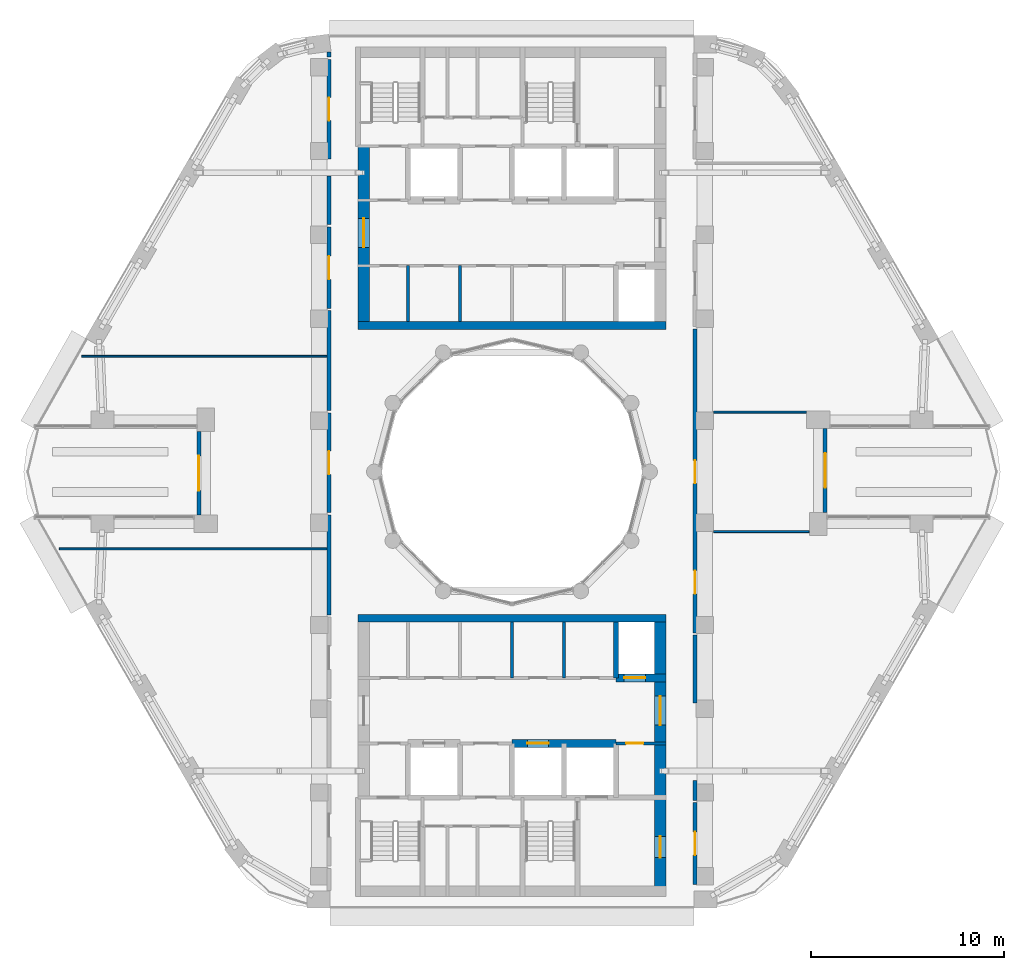
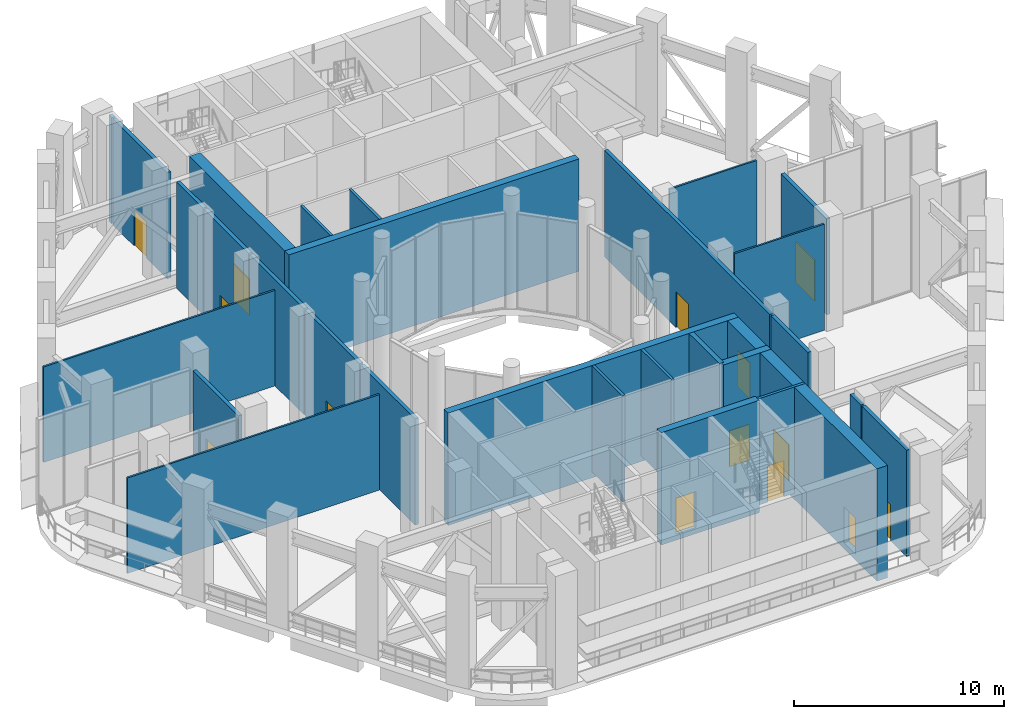
# One storey, part 9 of 19: 29 walls, 14 doors, 14 openings.
"""IFC4 building model written with IfcOpenShell, lengths in metres."""

from ifc_helpers import new_model, si_unit, direction, frame, frame_2d, origin, place, context, subcontext, project, spatial, rectangle, extrude, material, layer, layer_set, type_object, element, fill, save


model = new_model("IFC4")

# Units and contexts
model_context = context("Model", 3, precision=1e-05, world=origin(), true_north=direction((0.0, 1.0)))
body_context = subcontext(model_context, "Body", "Model", "MODEL_VIEW")
ifc_project = project(units=[si_unit("LENGTHUNIT", "METRE"), si_unit("AREAUNIT", "SQUARE_METRE"), si_unit("VOLUMEUNIT", "CUBIC_METRE"), si_unit("PLANEANGLEUNIT", "RADIAN"), si_unit("MASSUNIT", "GRAM", prefix="KILO")], contexts=[model_context])

# Site, building, storey
site_placement = place(None, origin())
site = spatial("IfcSite", under=ifc_project, at=site_placement, CompositionType="ELEMENT")
building_placement = place(site_placement, origin())
building = spatial("IfcBuilding", under=site, at=building_placement, Name="Nakaniwa Court", CompositionType="ELEMENT")
storey_placement = place(building_placement, frame((0.0, 0.0, 219.60009765625)))
storey = spatial("IfcBuildingStorey", under=building, at=storey_placement, Name="S4", CompositionType="ELEMENT", Elevation=219.60009765625)

# Wall, opening, door
ifc_material_1 = material(Name="Acoustic double stud partition")
ifc_layer_1 = layer(ifc_material_1, 0.199951171875)
ifc_layer_set_1 = layer_set([ifc_layer_1], Name="Acoustic double stud partition")
wall_type_1 = type_object("IfcWallType", Name="Acoustic double stud partition 200", PredefinedType="PARTITIONING", material=ifc_layer_set_1)
wall_1_placement = place(storey_placement, frame((89.5, 62.822998046875, 0.0), z_axis=(0.0, 0.0, 1.0), x_axis=(0.0, -1.0, 0.0)))
wall_1 = element("IfcWall", 1, at=wall_1_placement, inside=storey, type_object=wall_type_1, Name="Partition PW-065", PredefinedType="PARTITIONING", context=body_context, shape_type="SweptSolid", body=[
    extrude(rectangle(XDim=4.236083984375, YDim=0.199951171875, at=frame_2d((2.1181640625, 0.0))), origin(), (0.0, 0.0, 1.0), 6.18994140625),
])
opening_1_placement = place(wall_1_placement, frame((1.51806640625, 0.0, 0.0)))
opening_1 = element("IfcOpeningElement", 2, at=opening_1_placement, cuts=wall_1, Name="Opening D-35-01", PredefinedType="OPENING", context=body_context, shape_type="SweptSolid", body=[
    extrude(rectangle(XDim=1.199951171875, YDim=2.10009765625, at=frame_2d((0.60009765625, 1.050048828125))), frame((0.0, 0.10986328125, 0.0), z_axis=(0.0, -1.0, 0.0), x_axis=(1.0, 0.0, 0.0)), (0.0, 0.0, 1.0), 0.219970703125),
])
ifc_material_2 = material(Name="Fire rated steel door set", Category="steel")
door_type_1 = type_object("IfcDoorType", Name="Service room door 1200", OperationType="NOTDEFINED", PredefinedType="DOOR", material=ifc_material_2)
door_1_placement = place(opening_1_placement, origin())
door_1 = element("IfcDoor", 3, at=door_1_placement, inside=storey, type_object=door_type_1, Name="Door D-35-01 S4-029", OperationType="SINGLE_SWING_RIGHT", OverallHeight=2.10009765625, OverallWidth=1.199951171875, PredefinedType="DOOR", context=body_context, shape_type="SweptSolid", body=[
    extrude(rectangle(XDim=1.199951171875, YDim=2.10009765625, at=frame_2d((0.60009765625, 1.050048828125))), frame((0.0, 0.02490234375, 0.0), z_axis=(0.0, -1.0, 0.0), x_axis=(1.0, 0.0, 0.0)), (0.0, 0.0, 1.0), 0.050048828125),
])
fill(opening_1, door_1)

# Walls
wall_2_placement = place(storey_placement, frame((89.5, 62.93701171875, 0.0), z_axis=(0.0, 0.0, 1.0), x_axis=(0.0, 1.0, 0.0)))
element("IfcWall", 4, at=wall_2_placement, inside=storey, type_object=wall_type_1, Name="Partition PW-066", PredefinedType="PARTITIONING", context=body_context, shape_type="SweptSolid", body=[
    extrude(rectangle(XDim=1.04150390625, YDim=0.199951171875, at=frame_2d((0.520751953125, 0.0))), origin(), (0.0, 0.0, 1.0), 6.18994140625),
])
wall_3_placement = place(storey_placement, frame((89.5, 67.9970703125, 0.0), z_axis=(0.0, 0.0, 1.0), x_axis=(0.0, 1.0, 0.0)))
element("IfcWall", 5, at=wall_3_placement, inside=storey, type_object=wall_type_1, Name="Partition PW-067", PredefinedType="PARTITIONING", context=body_context, shape_type="SweptSolid", body=[
    extrude(rectangle(XDim=3.52587890625, YDim=0.199951171875, at=frame_2d((1.762939453125, 0.0))), origin(), (0.0, 0.0, 1.0), 6.18994140625),
])

# Wall, openings, doors
wall_4_placement = place(storey_placement, frame((89.5, 87.423095703125, 0.0), z_axis=(0.0, 0.0, 1.0), x_axis=(0.0, -1.0, 0.0)))
wall_4 = element("IfcWall", 6, at=wall_4_placement, inside=storey, type_object=wall_type_1, Name="Partition PW-068", PredefinedType="PARTITIONING", context=body_context, shape_type="SweptSolid", body=[
    extrude(rectangle(XDim=15.7861328125, YDim=0.199951171875, at=frame_2d((7.89306640625, 0.0))), origin(), (0.0, 0.0, 1.0), 6.18994140625),
])
opening_2_placement = place(wall_4_placement, frame((12.552978515625, 0.0, 0.0)))
opening_2 = element("IfcOpeningElement", 7, at=opening_2_placement, cuts=wall_4, Name="Opening D-30-01", PredefinedType="OPENING", context=body_context, shape_type="SweptSolid", body=[
    extrude(rectangle(XDim=1.199951171875, YDim=2.10009765625, at=frame_2d((0.60009765625, 1.050048828125))), frame((0.0, 0.10986328125, 0.0), z_axis=(0.0, -1.0, 0.0), x_axis=(1.0, 0.0, 0.0)), (0.0, 0.0, 1.0), 0.219970703125),
])
opening_3_placement = place(wall_4_placement, frame((6.822998046875, 0.0, 0.0)))
opening_3 = element("IfcOpeningElement", 8, at=opening_3_placement, cuts=wall_4, Name="Opening D-30-02", PredefinedType="OPENING", context=body_context, shape_type="SweptSolid", body=[
    extrude(rectangle(XDim=1.199951171875, YDim=2.10009765625, at=frame_2d((0.60009765625, 1.050048828125))), frame((0.0, 0.10986328125, 0.0), z_axis=(0.0, -1.0, 0.0), x_axis=(1.0, 0.0, 0.0)), (0.0, 0.0, 1.0), 0.219970703125),
])
ifc_material_3 = material(Name="Solid core timber door set, black veneer", Category="wood")
door_type_2 = type_object("IfcDoorType", Name="Internal door 1200", OperationType="NOTDEFINED", PredefinedType="DOOR", material=ifc_material_3)
door_2_placement = place(opening_2_placement, origin())
door_2 = element("IfcDoor", 9, at=door_2_placement, inside=storey, type_object=door_type_2, Name="Door D-30-01 S4-030", OperationType="SINGLE_SWING_LEFT", OverallHeight=2.10009765625, OverallWidth=1.199951171875, PredefinedType="DOOR", context=body_context, shape_type="SweptSolid", body=[
    extrude(rectangle(XDim=1.199951171875, YDim=2.10009765625, at=frame_2d((0.60009765625, 1.050048828125))), frame((0.0, 0.02490234375, 0.0), z_axis=(0.0, -1.0, 0.0), x_axis=(1.0, 0.0, 0.0)), (0.0, 0.0, 1.0), 0.050048828125),
])
fill(opening_2, door_2)
door_3_placement = place(opening_3_placement, origin())
door_3 = element("IfcDoor", 10, at=door_3_placement, inside=storey, type_object=door_type_2, Name="Door D-30-02 S4-031", OperationType="SINGLE_SWING_RIGHT", OverallHeight=2.10009765625, OverallWidth=1.199951171875, PredefinedType="DOOR", context=body_context, shape_type="SweptSolid", body=[
    extrude(rectangle(XDim=1.199951171875, YDim=2.10009765625, at=frame_2d((0.60009765625, 1.050048828125))), frame((0.0, 0.02490234375, 0.0), z_axis=(0.0, -1.0, 0.0), x_axis=(1.0, 0.0, 0.0)), (0.0, 0.0, 1.0), 0.050048828125),
])
fill(opening_3, door_3)

# Wall
wall_5_placement = place(storey_placement, frame((70.5, 72.576904296875, 0.0), z_axis=(0.0, 0.0, 1.0), x_axis=(0.0, 1.0, 0.0)))
element("IfcWall", 11, at=wall_5_placement, inside=storey, type_object=wall_type_1, Name="Partition PW-078", PredefinedType="PARTITIONING", context=body_context, shape_type="SweptSolid", body=[
    extrude(rectangle(XDim=5.18603515625, YDim=0.199951171875, at=frame_2d((2.593017578125, 0.0))), origin(), (0.0, 0.0, 1.0), 6.18994140625),
])

# Wall, opening, door
wall_6_placement = place(storey_placement, frame((70.5, 77.876953125, 0.0), z_axis=(0.0, 0.0, 1.0), x_axis=(0.0, 1.0, 0.0)))
wall_6 = element("IfcWall", 12, at=wall_6_placement, inside=storey, type_object=wall_type_1, Name="Partition PW-079", PredefinedType="PARTITIONING", context=body_context, shape_type="SweptSolid", body=[
    extrude(rectangle(XDim=5.18603515625, YDim=0.199951171875, at=frame_2d((2.593017578125, 0.0))), origin(), (0.0, 0.0, 1.0), 6.18994140625),
])
opening_4_placement = place(wall_6_placement, frame((1.992919921875, 0.0, 0.0)))
opening_4 = element("IfcOpeningElement", 13, at=opening_4_placement, cuts=wall_6, Name="Opening D-30-05", PredefinedType="OPENING", context=body_context, shape_type="SweptSolid", body=[
    extrude(rectangle(XDim=1.199951171875, YDim=2.10009765625, at=frame_2d((0.60009765625, 1.050048828125))), frame((0.0, 0.10986328125, 0.0), z_axis=(0.0, -1.0, 0.0), x_axis=(1.0, 0.0, 0.0)), (0.0, 0.0, 1.0), 0.219970703125),
])
door_4_placement = place(opening_4_placement, origin())
door_4 = element("IfcDoor", 14, at=door_4_placement, inside=storey, type_object=door_type_2, Name="Door D-30-05 S4-036", OperationType="SINGLE_SWING_LEFT", OverallHeight=2.10009765625, OverallWidth=1.199951171875, PredefinedType="DOOR", context=body_context, shape_type="SweptSolid", body=[
    extrude(rectangle(XDim=1.199951171875, YDim=2.10009765625, at=frame_2d((0.60009765625, 1.050048828125))), frame((0.0, 0.02490234375, 0.0), z_axis=(0.0, -1.0, 0.0), x_axis=(1.0, 0.0, 0.0)), (0.0, 0.0, 1.0), 0.050048828125),
])
fill(opening_4, door_4)

# Wall
wall_7_placement = place(storey_placement, frame((70.5, 83.177001953125, 0.0), z_axis=(0.0, 0.0, 1.0), x_axis=(0.0, 1.0, 0.0)))
element("IfcWall", 15, at=wall_7_placement, inside=storey, type_object=wall_type_1, Name="Partition PW-080", PredefinedType="PARTITIONING", context=body_context, shape_type="SweptSolid", body=[
    extrude(rectangle(XDim=5.18603515625, YDim=0.199951171875, at=frame_2d((2.593017578125, 0.0))), origin(), (0.0, 0.0, 1.0), 6.18994140625),
])

# Wall, opening, door
wall_8_placement = place(storey_placement, frame((70.5, 88.47705078125, 0.0), z_axis=(0.0, 0.0, 1.0), x_axis=(0.0, 1.0, 0.0)))
wall_8 = element("IfcWall", 16, at=wall_8_placement, inside=storey, type_object=wall_type_1, Name="Partition PW-081", PredefinedType="PARTITIONING", context=body_context, shape_type="SweptSolid", body=[
    extrude(rectangle(XDim=4.23583984375, YDim=0.199951171875, at=frame_2d((2.117919921875, 0.0))), origin(), (0.0, 0.0, 1.0), 6.18994140625),
])
opening_5_placement = place(wall_8_placement, frame((1.51806640625, 0.0, 0.0)))
opening_5 = element("IfcOpeningElement", 17, at=opening_5_placement, cuts=wall_8, Name="Opening D-30-06", PredefinedType="OPENING", context=body_context, shape_type="SweptSolid", body=[
    extrude(rectangle(XDim=1.199951171875, YDim=2.10009765625, at=frame_2d((0.60009765625, 1.050048828125))), frame((0.0, 0.10986328125, 0.0), z_axis=(0.0, -1.0, 0.0), x_axis=(1.0, 0.0, 0.0)), (0.0, 0.0, 1.0), 0.219970703125),
])
door_5_placement = place(opening_5_placement, origin())
door_5 = element("IfcDoor", 18, at=door_5_placement, inside=storey, type_object=door_type_2, Name="Door D-30-06 S4-037", OperationType="SINGLE_SWING_RIGHT", OverallHeight=2.10009765625, OverallWidth=1.199951171875, PredefinedType="DOOR", context=body_context, shape_type="SweptSolid", body=[
    extrude(rectangle(XDim=1.199951171875, YDim=2.10009765625, at=frame_2d((0.60009765625, 1.050048828125))), frame((0.0, 0.02490234375, 0.0), z_axis=(0.0, -1.0, 0.0), x_axis=(1.0, 0.0, 0.0)), (0.0, 0.0, 1.0), 0.050048828125),
])
fill(opening_5, door_5)

# Wall
wall_9_placement = place(storey_placement, frame((70.5, 92.826904296875, 0.0), z_axis=(0.0, 0.0, 1.0), x_axis=(0.0, 1.0, 0.0)))
element("IfcWall", 19, at=wall_9_placement, inside=storey, type_object=wall_type_1, Name="Partition PW-082", PredefinedType="PARTITIONING", context=body_context, shape_type="SweptSolid", body=[
    extrude(rectangle(XDim=2.517578125, YDim=0.199951171875, at=frame_2d((1.2587890625, 0.0))), origin(), (0.0, 0.0, 1.0), 6.18994140625),
])

# Wall, opening, door
wall_10_placement = place(storey_placement, frame((70.5, 96.237060546875, 0.0), z_axis=(0.0, 0.0, 1.0), x_axis=(0.0, 1.0, 0.0)))
wall_10 = element("IfcWall", 20, at=wall_10_placement, inside=storey, type_object=wall_type_1, Name="Partition PW-083", PredefinedType="PARTITIONING", context=body_context, shape_type="SweptSolid", body=[
    extrude(rectangle(XDim=5.176025390625, YDim=0.199951171875, at=frame_2d((2.587890625, 0.0))), origin(), (0.0, 0.0, 1.0), 6.18994140625),
])
opening_6_placement = place(wall_10_placement, frame((1.988037109375, 0.0, 0.0)))
opening_6 = element("IfcOpeningElement", 21, at=opening_6_placement, cuts=wall_10, Name="Opening D-35-04", PredefinedType="OPENING", context=body_context, shape_type="SweptSolid", body=[
    extrude(rectangle(XDim=1.199951171875, YDim=2.10009765625, at=frame_2d((0.60009765625, 1.050048828125))), frame((0.0, 0.10986328125, 0.0), z_axis=(0.0, -1.0, 0.0), x_axis=(1.0, 0.0, 0.0)), (0.0, 0.0, 1.0), 0.219970703125),
])
door_6_placement = place(opening_6_placement, origin())
door_6 = element("IfcDoor", 22, at=door_6_placement, inside=storey, type_object=door_type_1, Name="Door D-35-04 S4-038", OperationType="SINGLE_SWING_LEFT", OverallHeight=2.10009765625, OverallWidth=1.199951171875, PredefinedType="DOOR", context=body_context, shape_type="SweptSolid", body=[
    extrude(rectangle(XDim=1.199951171875, YDim=2.10009765625, at=frame_2d((0.60009765625, 1.050048828125))), frame((0.0, 0.02490234375, 0.0), z_axis=(0.0, -1.0, 0.0), x_axis=(1.0, 0.0, 0.0)), (0.0, 0.0, 1.0), 0.050048828125),
])
fill(opening_6, door_6)

# Wall
wall_11_placement = place(storey_placement, frame((70.5, 101.527099609375, 0.0), z_axis=(0.0, 0.0, 1.0), x_axis=(0.0, 1.0, 0.0)))
element("IfcWall", 23, at=wall_11_placement, inside=storey, type_object=wall_type_1, Name="Partition PW-084", PredefinedType="PARTITIONING", context=body_context, shape_type="SweptSolid", body=[
    extrude(rectangle(XDim=0.273681640625, YDim=0.199951171875, at=frame_2d((0.13671875, 0.0))), origin(), (0.0, 0.0, 1.0), 6.18994140625),
])

# Wall, opening, door
ifc_material_4 = material(Name="Charcoal ceramic cladding")
ifc_layer_2 = layer(ifc_material_4, 0.02, Name="Ceramic cladding")
ifc_material_5 = material(Name="Ventilated air cavity")
ifc_layer_3 = layer(ifc_material_5, 0.04, ventilated=True, Name="Ventilated cavity")
ifc_material_6 = material(Name="Mineral wool insulation")
ifc_layer_4 = layer(ifc_material_6, 0.05, Name="Insulation")
ifc_material_7 = material(Name="Cement bonded sheathing board")
ifc_layer_5 = layer(ifc_material_7, 0.012, Name="Sheathing")
ifc_material_8 = material(Name="Cold-formed galvanised stud frame with mineral wool infill")
ifc_layer_6 = layer(ifc_material_8, 0.05, Name="Stud frame")
ifc_material_9 = material(Name="Fire-rated gypsum plasterboard lining")
ifc_layer_7 = layer(ifc_material_9, 0.028, Name="Lining")
ifc_layer_set_2 = layer_set([ifc_layer_2, ifc_layer_3, ifc_layer_4, ifc_layer_5, ifc_layer_6, ifc_layer_7], Name="Charcoal ceramic faced external wall system")
wall_type_2 = type_object("IfcWallType", Name="Black ceramic faced external wall 200", PredefinedType="SOLIDWALL", material=ifc_layer_set_2)
wall_12_placement = place(storey_placement, frame((63.75048828125, 82.10400390625, 0.0), z_axis=(0.0, 0.0, 1.0), x_axis=(0.0, -1.0, 0.0)))
wall_12 = element("IfcWall", 24, at=wall_12_placement, inside=storey, type_object=wall_type_2, Name="S4 sky garden terrace wall 1", PredefinedType="SOLIDWALL", context=body_context, shape_type="SweptSolid", body=[
    extrude(rectangle(XDim=4.35791015625, YDim=0.199951171875, at=frame_2d((2.178955078125, 0.0))), origin(), (0.0, 0.0, 1.0), 5.58984375),
])
opening_7_placement = place(wall_12_placement, frame((1.279052734375, 0.0, 0.0)))
opening_7 = element("IfcOpeningElement", 25, at=opening_7_placement, cuts=wall_12, Name="Opening XD11.01", PredefinedType="OPENING", context=body_context, shape_type="SweptSolid", body=[
    extrude(rectangle(XDim=1.800048828125, YDim=2.39990234375, at=frame_2d((0.89990234375, 1.199951171875))), frame((0.0, 0.10986328125, 0.0), z_axis=(0.0, -1.0, 0.0), x_axis=(1.0, 0.0, 0.0)), (0.0, 0.0, 1.0), 0.219970703125),
])
ifc_material_10 = material(Name="Black powder-coated aluminium frame with dark laminated glass", Category="aluminium")
door_type_3 = type_object("IfcDoorType", Name="Terrace double door 1800x2400", OperationType="DOUBLE_DOOR_SINGLE_SWING", PredefinedType="DOOR", material=ifc_material_10)
door_7_placement = place(opening_7_placement, frame((1.800048828125, 0.0, 0.0), z_axis=(0.0, 0.0, 1.0), x_axis=(-1.0, 0.0, 0.0)))
door_7 = element("IfcDoor", 26, at=door_7_placement, inside=storey, type_object=door_type_3, Name="S4 terrace double door t1", OperationType="DOUBLE_DOOR_SINGLE_SWING", OverallHeight=2.39990234375, OverallWidth=1.800048828125, PredefinedType="DOOR", context=body_context, shape_type="SweptSolid", body=[
    extrude(rectangle(XDim=1.800048828125, YDim=2.39990234375, at=frame_2d((0.89990234375, 1.199951171875))), frame((0.0, 0.02490234375, 0.0), z_axis=(0.0, -1.0, 0.0), x_axis=(1.0, 0.0, 0.0)), (0.0, 0.0, 1.0), 0.050048828125),
])
fill(opening_7, door_7)

wall_13_placement = place(storey_placement, frame((96.24951171875, 77.89599609375, 0.0), z_axis=(0.0, 0.0, 1.0), x_axis=(0.0, 1.0, 0.0)))
wall_13 = element("IfcWall", 27, at=wall_13_placement, inside=storey, type_object=wall_type_2, Name="S4 sky garden terrace wall 2", PredefinedType="SOLIDWALL", context=body_context, shape_type="SweptSolid", body=[
    extrude(rectangle(XDim=4.35791015625, YDim=0.199951171875, at=frame_2d((2.178955078125, 0.0))), origin(), (0.0, 0.0, 1.0), 5.58984375),
])
opening_8_placement = place(wall_13_placement, frame((1.279052734375, 0.0, 0.0)))
opening_8 = element("IfcOpeningElement", 28, at=opening_8_placement, cuts=wall_13, Name="Opening XD11.02", PredefinedType="OPENING", context=body_context, shape_type="SweptSolid", body=[
    extrude(rectangle(XDim=1.800048828125, YDim=2.39990234375, at=frame_2d((0.89990234375, 1.199951171875))), frame((0.0, 0.10986328125, 0.0), z_axis=(0.0, -1.0, 0.0), x_axis=(1.0, 0.0, 0.0)), (0.0, 0.0, 1.0), 0.219970703125),
])
door_8_placement = place(opening_8_placement, frame((1.800048828125, 0.0, 0.0), z_axis=(0.0, 0.0, 1.0), x_axis=(-1.0, 0.0, 0.0)))
door_8 = element("IfcDoor", 29, at=door_8_placement, inside=storey, type_object=door_type_3, Name="S4 terrace double door t2", OperationType="DOUBLE_DOOR_SINGLE_SWING", OverallHeight=2.39990234375, OverallWidth=1.800048828125, PredefinedType="DOOR", context=body_context, shape_type="SweptSolid", body=[
    extrude(rectangle(XDim=1.800048828125, YDim=2.39990234375, at=frame_2d((0.89990234375, 1.199951171875))), frame((0.0, 0.02490234375, 0.0), z_axis=(0.0, -1.0, 0.0), x_axis=(1.0, 0.0, 0.0)), (0.0, 0.0, 1.0), 0.050048828125),
])
fill(opening_8, door_8)

# Walls
ifc_material_11 = material(Name="Blockwork partition", Category="masonry")
ifc_layer_8 = layer(ifc_material_11, 0.14990234375)
ifc_layer_set_3 = layer_set([ifc_layer_8], Name="Blockwork partition")
wall_type_3 = type_object("IfcWallType", Name="Blockwork partition 150", PredefinedType="PARTITIONING", material=ifc_layer_set_3)
for number, where, z_axis, x_axis, name in (
    (30, (74.60009765625, 87.800048828125, 0.0), (0.0, 0.0, 1.0), (0.0, 1.0, 0.0), "Partition PW-001"),
    (31, (77.300048828125, 87.800048828125, 0.0), (0.0, 0.0, 1.0), (0.0, 1.0, 0.0), "Partition PW-008"),
    (32, (80.0, 69.300048828125, 0.0), (0.0, 0.0, 1.0), (0.0, 1.0, 0.0), "Partition PW-041"),
    (33, (82.699951171875, 69.300048828125, 0.0), (0.0, 0.0, 1.0), (0.0, 1.0, 0.0), "Partition PW-042"),
):
    element("IfcWall", number, at=place(storey_placement, frame(where, z_axis=z_axis, x_axis=x_axis)), inside=storey, type_object=wall_type_3, Name=name, PredefinedType="PARTITIONING", context=body_context, shape_type="SweptSolid", body=[
        extrude(rectangle(XDim=2.89990234375, YDim=0.14990234375, at=frame_2d((1.449951171875, 0.0))), origin(), (0.0, 0.0, 1.0), 6.18994140625),
    ])

# Wall, opening, door
wall_14_placement = place(storey_placement, frame((88.0, 65.89990234375, 0.0), z_axis=(0.0, 0.0, 1.0), x_axis=(-1.0, 0.0, 0.0)))
wall_14 = element("IfcWall", 34, at=wall_14_placement, inside=storey, type_object=wall_type_3, Name="Partition PW-045", PredefinedType="PARTITIONING", context=body_context, shape_type="SweptSolid", body=[
    extrude(rectangle(XDim=2.60302734375, YDim=0.14990234375, at=frame_2d((1.301513671875, 0.0))), origin(), (0.0, 0.0, 1.0), 6.18994140625),
])
opening_9_placement = place(wall_14_placement, frame((1.175048828125, 0.0, 0.0)))
opening_9 = element("IfcOpeningElement", 35, at=opening_9_placement, cuts=wall_14, Name="Opening D-05-15", PredefinedType="OPENING", context=body_context, shape_type="SweptSolid", body=[
    extrude(rectangle(XDim=0.89990234375, YDim=2.10009765625, at=frame_2d((0.449951171875, 1.050048828125))), frame((0.0, 0.0849609375, 0.0), z_axis=(0.0, -1.0, 0.0), x_axis=(1.0, 0.0, 0.0)), (0.0, 0.0, 1.0), 0.169921875),
])
door_type_4 = type_object("IfcDoorType", Name="Service room door 900", OperationType="NOTDEFINED", PredefinedType="DOOR", material=ifc_material_2)
door_9_placement = place(opening_9_placement, origin())
door_9 = element("IfcDoor", 36, at=door_9_placement, inside=storey, type_object=door_type_4, Name="Door D-05-15 S4-022", OperationType="SINGLE_SWING_LEFT", OverallHeight=2.10009765625, OverallWidth=0.89990234375, PredefinedType="DOOR", context=body_context, shape_type="SweptSolid", body=[
    extrude(rectangle(XDim=0.89990234375, YDim=2.10009765625, at=frame_2d((0.449951171875, 1.050048828125))), frame((0.0, 0.02490234375, 0.0), z_axis=(0.0, -1.0, 0.0), x_axis=(1.0, 0.0, 0.0)), (0.0, 0.0, 1.0), 0.050048828125),
])
fill(opening_9, door_9)

ifc_material_12 = material(Name="Concrete C80/100", Category="concrete")
ifc_layer_9 = layer(ifc_material_12, 0.60009765625)
ifc_layer_set_4 = layer_set([ifc_layer_9], Name="Concrete C80/100")
wall_type_4 = type_object("IfcWallType", Name="Concrete core side wall 600 C80", PredefinedType="SHEAR", material=ifc_layer_set_4)
wall_15_placement = place(storey_placement, frame((72.300048828125, 87.800048828125, -0.35009765625), z_axis=(0.0, 0.0, 1.0), x_axis=(0.0, 1.0, 0.0)))
wall_15 = element("IfcWall", 37, at=wall_15_placement, inside=storey, type_object=wall_type_4, Name="Core wall SW-03", PredefinedType="SHEAR", context=body_context, shape_type="SweptSolid", body=[
    extrude(rectangle(XDim=9.099853515625, YDim=0.60009765625, at=frame_2d((4.5498046875, 0.0))), origin(), (0.0, 0.0, 1.0), 6.5400390625),
])
opening_10_placement = place(wall_15_placement, frame((3.85009765625, 0.0, 0.35009765625)))
opening_10 = element("IfcOpeningElement", 38, at=opening_10_placement, cuts=wall_15, Name="Opening D-07-02", PredefinedType="OPENING", context=body_context, shape_type="SweptSolid", body=[
    extrude(rectangle(XDim=1.5, YDim=2.10009765625, at=frame_2d((0.75, 1.050048828125))), frame((0.0, 0.31005859375, 0.0), z_axis=(0.0, -1.0, 0.0), x_axis=(1.0, 0.0, 0.0)), (0.0, 0.0, 1.0), 0.6201171875),
])
ifc_material_13 = material(Name="Glazed fire rated steel double door set", Category="steel")
door_type_5 = type_object("IfcDoorType", Name="Lobby double door 1500", OperationType="NOTDEFINED", PredefinedType="DOOR", material=ifc_material_13)
door_10_placement = place(opening_10_placement, origin())
door_10 = element("IfcDoor", 39, at=door_10_placement, inside=storey, type_object=door_type_5, Name="Door D-07-02 S4-040", OperationType="DOUBLE_DOOR_SINGLE_SWING", OverallHeight=2.10009765625, OverallWidth=1.5, PredefinedType="DOOR", context=body_context, shape_type="SweptSolid", body=[
    extrude(rectangle(XDim=1.5, YDim=2.10009765625, at=frame_2d((0.75, 1.050048828125))), frame((0.0, 0.02490234375, 0.0), z_axis=(0.0, -1.0, 0.0), x_axis=(1.0, 0.0, 0.0)), (0.0, 0.0, 1.0), 0.050048828125),
])
fill(opening_10, door_10)

# Wall, openings, doors
wall_16_placement = place(storey_placement, frame((87.699951171875, 72.199951171875, -0.35009765625), z_axis=(0.0, 0.0, 1.0), x_axis=(0.0, -1.0, 0.0)))
wall_16 = element("IfcWall", 40, at=wall_16_placement, inside=storey, type_object=wall_type_4, Name="Core wall SW-39", PredefinedType="SHEAR", context=body_context, shape_type="SweptSolid", body=[
    extrude(rectangle(XDim=14.25, YDim=0.60009765625, at=frame_2d((7.125, 0.0))), origin(), (0.0, 0.0, 1.0), 6.5400390625),
])
opening_11_placement = place(wall_16_placement, frame((3.85009765625, 0.0, 0.35009765625)))
opening_11 = element("IfcOpeningElement", 41, at=opening_11_placement, cuts=wall_16, Name="Opening D-07-03", PredefinedType="OPENING", context=body_context, shape_type="SweptSolid", body=[
    extrude(rectangle(XDim=1.5, YDim=2.10009765625, at=frame_2d((0.75, 1.050048828125))), frame((0.0, 0.31005859375, 0.0), z_axis=(0.0, -1.0, 0.0), x_axis=(1.0, 0.0, 0.0)), (0.0, 0.0, 1.0), 0.6201171875),
])
opening_12_placement = place(wall_16_placement, frame((11.125, 0.0, 0.35009765625)))
opening_12 = element("IfcOpeningElement", 42, at=opening_12_placement, cuts=wall_16, Name="Opening D-10-02", PredefinedType="OPENING", context=body_context, shape_type="SweptSolid", body=[
    extrude(rectangle(XDim=1.10009765625, YDim=2.10009765625, at=frame_2d((0.550048828125, 1.050048828125))), frame((0.0, 0.31005859375, 0.0), z_axis=(0.0, -1.0, 0.0), x_axis=(1.0, 0.0, 0.0)), (0.0, 0.0, 1.0), 0.6201171875),
])
door_type_6 = type_object("IfcDoorType", Name="Firefighting lobby door 1100", OperationType="NOTDEFINED", PredefinedType="DOOR", material=ifc_material_2)
door_11_placement = place(opening_12_placement, origin())
door_11 = element("IfcDoor", 43, at=door_11_placement, inside=storey, type_object=door_type_6, Name="Door D-10-02 S4-044", OperationType="SINGLE_SWING_LEFT", OverallHeight=2.10009765625, OverallWidth=1.10009765625, PredefinedType="DOOR", context=body_context, shape_type="SweptSolid", body=[
    extrude(rectangle(XDim=1.10009765625, YDim=2.10009765625, at=frame_2d((0.550048828125, 1.050048828125))), frame((0.0, 0.02490234375, 0.0), z_axis=(0.0, -1.0, 0.0), x_axis=(1.0, 0.0, 0.0)), (0.0, 0.0, 1.0), 0.050048828125),
])
fill(opening_12, door_11)
door_12_placement = place(opening_11_placement, origin())
door_12 = element("IfcDoor", 44, at=door_12_placement, inside=storey, type_object=door_type_5, Name="Door D-07-03 S4-042", OperationType="DOUBLE_DOOR_SINGLE_SWING", OverallHeight=2.10009765625, OverallWidth=1.5, PredefinedType="DOOR", context=body_context, shape_type="SweptSolid", body=[
    extrude(rectangle(XDim=1.5, YDim=2.10009765625, at=frame_2d((0.75, 1.050048828125))), frame((0.0, 0.02490234375, 0.0), z_axis=(0.0, -1.0, 0.0), x_axis=(1.0, 0.0, 0.0)), (0.0, 0.0, 1.0), 0.050048828125),
])
fill(opening_11, door_12)

# Wall, opening, door
ifc_layer_10 = layer(ifc_material_12, 0.39990234375)
ifc_layer_set_5 = layer_set([ifc_layer_10], Name="Concrete C80/100")
wall_type_5 = type_object("IfcWallType", Name="Concrete core spine wall 400 C80", PredefinedType="SHEAR", material=ifc_layer_set_5)
wall_17_placement = place(storey_placement, frame((85.39990234375, 69.300048828125, -0.35009765625), z_axis=(0.0, 0.0, 1.0), x_axis=(1.0, 0.0, 0.0)))
wall_17 = element("IfcWall", 45, at=wall_17_placement, inside=storey, type_object=wall_type_5, Name="Core wall SW-38", PredefinedType="SHEAR", context=body_context, shape_type="SweptSolid", body=[
    extrude(rectangle(XDim=2.60009765625, YDim=0.39990234375, at=frame_2d((1.300048828125, 0.0))), origin(), (0.0, 0.0, 1.0), 6.5400390625),
])
opening_13_placement = place(wall_17_placement, frame((0.425048828125, 0.0, 0.35009765625)))
opening_13 = element("IfcOpeningElement", 46, at=opening_13_placement, cuts=wall_17, Name="Opening LD05", PredefinedType="OPENING", context=body_context, shape_type="SweptSolid", body=[
    extrude(rectangle(XDim=1.10009765625, YDim=2.10009765625, at=frame_2d((0.550048828125, 1.050048828125))), frame((0.0, 0.2099609375, 0.0), z_axis=(0.0, -1.0, 0.0), x_axis=(1.0, 0.0, 0.0)), (0.0, 0.0, 1.0), 0.419921875),
])
ifc_material_14 = material(Name="Stainless steel sliding lift landing door", Category="steel")
door_type_7 = type_object("IfcDoorType", Name="Lift landing door 1100", OperationType="NOTDEFINED", PredefinedType="DOOR", material=ifc_material_14)
door_13_placement = place(opening_13_placement, origin())
door_13 = element("IfcDoor", 47, at=door_13_placement, inside=storey, type_object=door_type_7, Name="Lift landing door LD05 S4-005", OperationType="SLIDING_TO_LEFT", OverallHeight=2.10009765625, OverallWidth=1.10009765625, PredefinedType="DOOR", context=body_context, shape_type="SweptSolid", body=[
    extrude(rectangle(XDim=1.10009765625, YDim=2.10009765625, at=frame_2d((0.550048828125, 1.050048828125))), frame((0.0, 0.02490234375, 0.0), z_axis=(0.0, -1.0, 0.0), x_axis=(1.0, 0.0, 0.0)), (0.0, 0.0, 1.0), 0.050048828125),
])
fill(opening_13, door_13)

wall_18_placement = place(storey_placement, frame((79.9970703125, 65.89990234375, -0.35009765625), z_axis=(0.0, 0.0, 1.0), x_axis=(1.0, 0.0, 0.0)))
wall_18 = element("IfcWall", 48, at=wall_18_placement, inside=storey, type_object=wall_type_5, Name="Core wall SW-47", PredefinedType="SHEAR", context=body_context, shape_type="SweptSolid", body=[
    extrude(rectangle(XDim=5.406005859375, YDim=0.39990234375, at=frame_2d((2.703125, 0.0))), origin(), (0.0, 0.0, 1.0), 6.5400390625),
])
opening_14_placement = place(wall_18_placement, frame((0.802978515625, 0.0, 0.35009765625)))
opening_14 = element("IfcOpeningElement", 49, at=opening_14_placement, cuts=wall_18, Name="Opening LD07", PredefinedType="OPENING", context=body_context, shape_type="SweptSolid", body=[
    extrude(rectangle(XDim=1.10009765625, YDim=2.10009765625, at=frame_2d((0.550048828125, 1.050048828125))), frame((0.0, 0.2099609375, 0.0), z_axis=(0.0, -1.0, 0.0), x_axis=(1.0, 0.0, 0.0)), (0.0, 0.0, 1.0), 0.419921875),
])
door_14_placement = place(opening_14_placement, origin())
door_14 = element("IfcDoor", 50, at=door_14_placement, inside=storey, type_object=door_type_7, Name="Lift landing door LD07 S4-007", OperationType="SLIDING_TO_LEFT", OverallHeight=2.10009765625, OverallWidth=1.10009765625, PredefinedType="DOOR", context=body_context, shape_type="SweptSolid", body=[
    extrude(rectangle(XDim=1.10009765625, YDim=2.10009765625, at=frame_2d((0.550048828125, 1.050048828125))), frame((0.0, 0.02490234375, 0.0), z_axis=(0.0, -1.0, 0.0), x_axis=(1.0, 0.0, 0.0)), (0.0, 0.0, 1.0), 0.050048828125),
])
fill(opening_14, door_14)

# Walls
ifc_layer_11 = layer(ifc_material_12, 0.39990234375)
ifc_layer_set_6 = layer_set([ifc_layer_11], Name="Concrete C80/100")
wall_type_6 = type_object("IfcWallType", Name="Concrete core well wall 400 C80", PredefinedType="SHEAR", material=ifc_layer_set_6)
for number, where, z_axis, x_axis, name in (
    (51, (72.00390625, 87.60009765625, -0.35009765625), (0.0, 0.0, 1.0), (1.0, 0.0, 0.0), "Core wall SW-88"),
    (52, (72.00390625, 72.39990234375, -0.35009765625), (0.0, 0.0, 1.0), (1.0, 0.0, 0.0), "Core wall SW-90"),
):
    element("IfcWall", number, at=place(storey_placement, frame(where, z_axis=z_axis, x_axis=x_axis)), inside=storey, type_object=wall_type_6, Name=name, PredefinedType="SHEAR", context=body_context, shape_type="SweptSolid", body=[
        extrude(rectangle(XDim=15.9921875, YDim=0.39990234375, at=frame_2d((7.99609375, 0.0))), origin(), (0.0, 0.0, 1.0), 6.5400390625),
    ])
ifc_layer_12 = layer(ifc_material_12, 0.25)
ifc_layer_set_7 = layer_set([ifc_layer_12], Name="Concrete C80/100")
wall_type_7 = type_object("IfcWallType", Name="Concrete shaft wall 250 C80", PredefinedType="SHEAR", material=ifc_layer_set_7)
wall_19_placement = place(storey_placement, frame((85.39990234375, 69.300048828125, -0.35009765625), z_axis=(0.0, 0.0, 1.0), x_axis=(0.0, 1.0, 0.0)))
element("IfcWall", 53, at=wall_19_placement, inside=storey, type_object=wall_type_7, Name="Core wall SW-37", PredefinedType="SHEAR", context=body_context, shape_type="SweptSolid", body=[
    extrude(rectangle(XDim=2.89990234375, YDim=0.25, at=frame_2d((1.449951171875, 0.0))), origin(), (0.0, 0.0, 1.0), 6.5400390625),
])
ifc_material_15 = material(Name="Single stud plasterboard partition")
ifc_layer_13 = layer(ifc_material_15, 0.10009765625)
ifc_layer_set_8 = layer_set([ifc_layer_13], Name="Single stud plasterboard partition")
wall_type_8 = type_object("IfcWallType", Name="Single stud plasterboard partition 100", PredefinedType="PARTITIONING", material=ifc_layer_set_8)
wall_20_placement = place(storey_placement, frame((90.469970703125, 76.89990234375, 0.0), z_axis=(0.0, 0.0, 1.0), x_axis=(1.0, 0.0, 0.0)))
element("IfcWall", 54, at=wall_20_placement, inside=storey, type_object=wall_type_8, Name="Partition PW-072", PredefinedType="PARTITIONING", context=body_context, shape_type="SweptSolid", body=[
    extrude(rectangle(XDim=4.95947265625, YDim=0.10009765625, at=frame_2d((2.479736328125, 0.0))), origin(), (0.0, 0.0, 1.0), 6.18994140625),
])
wall_21_placement = place(storey_placement, frame((90.469970703125, 83.10009765625, 0.0), z_axis=(0.0, 0.0, 1.0), x_axis=(1.0, 0.0, 0.0)))
element("IfcWall", 55, at=wall_21_placement, inside=storey, type_object=wall_type_8, Name="Partition PW-073", PredefinedType="PARTITIONING", context=body_context, shape_type="SweptSolid", body=[
    extrude(rectangle(XDim=4.8095703125, YDim=0.10009765625, at=frame_2d((2.40478515625, 0.0))), origin(), (0.0, 0.0, 1.0), 6.18994140625),
])
wall_22_placement = place(storey_placement, frame((56.501708984375, 76.0, 0.0), z_axis=(0.0, 0.0, 1.0), x_axis=(1.0, 0.0, 0.0)))
element("IfcWall", 56, at=wall_22_placement, inside=storey, type_object=wall_type_8, Name="Partition PW-085", PredefinedType="PARTITIONING", context=body_context, shape_type="SweptSolid", body=[
    extrude(rectangle(XDim=13.998291015625, YDim=0.10009765625, at=frame_2d((6.9990234375, 0.0))), origin(), (0.0, 0.0, 1.0), 5.56982421875),
])
wall_23_placement = place(storey_placement, frame((57.656494140625, 86.0, 0.0), z_axis=(0.0, 0.0, 1.0), x_axis=(1.0, 0.0, 0.0)))
element("IfcWall", 57, at=wall_23_placement, inside=storey, type_object=wall_type_8, Name="Partition PW-086", PredefinedType="PARTITIONING", context=body_context, shape_type="SweptSolid", body=[
    extrude(rectangle(XDim=12.843505859375, YDim=0.10009765625, at=frame_2d((6.421875, 0.0))), origin(), (0.0, 0.0, 1.0), 5.56982421875),
])

save(model, "model.ifc")
